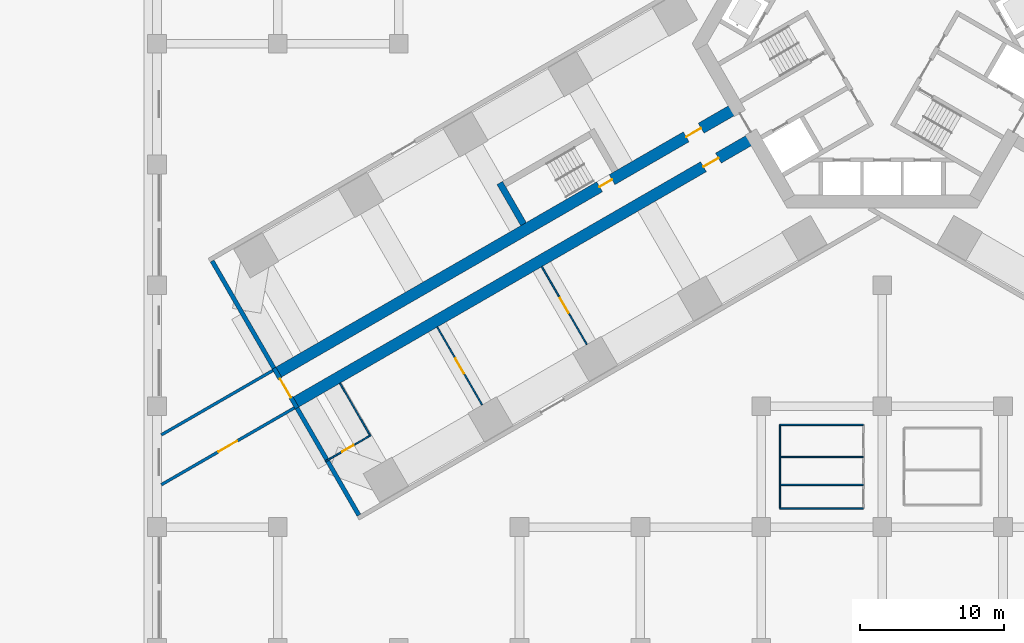
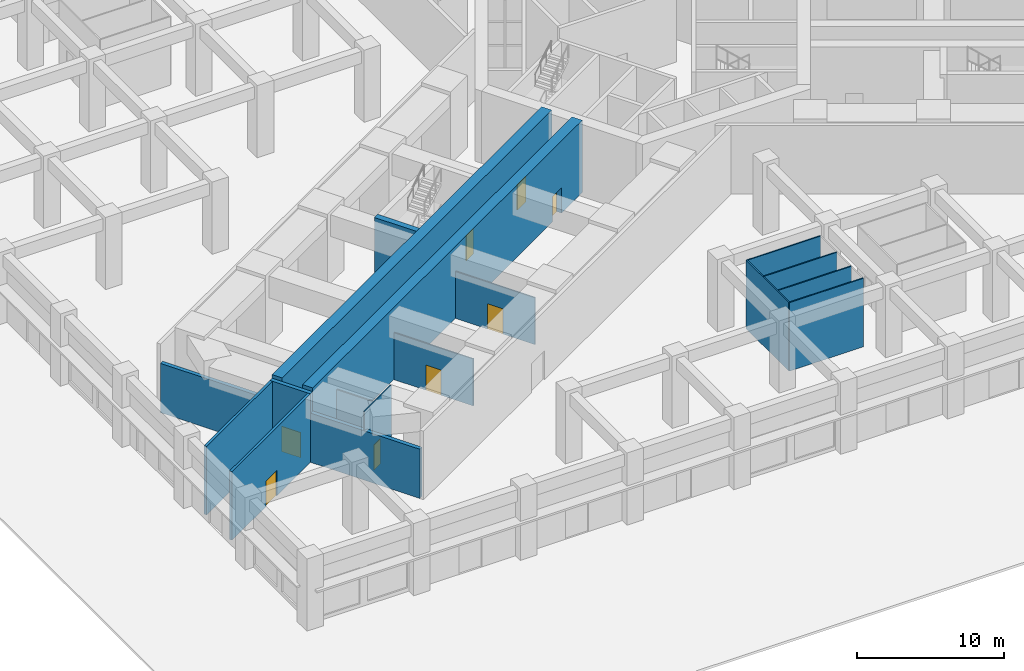
# One storey, part 5 of 33: 17 walls, 8 doors, 8 openings.
"""IFC4 building model written with IfcOpenShell, lengths in metres."""

from ifc_helpers import new_model, si_unit, direction, frame, frame_2d, origin, place, context, subcontext, project, spatial, rectangle, extrude, material, layer, layer_set, type_object, element, fill, save


model = new_model("IFC4")

# Units and contexts
model_context = context("Model", 3, precision=1e-05, world=origin(), true_north=direction((0.0, 1.0)))
body_context = subcontext(model_context, "Body", "Model", "MODEL_VIEW")
ifc_project = project(units=[si_unit("LENGTHUNIT", "METRE"), si_unit("AREAUNIT", "SQUARE_METRE"), si_unit("VOLUMEUNIT", "CUBIC_METRE"), si_unit("PLANEANGLEUNIT", "RADIAN"), si_unit("MASSUNIT", "GRAM", prefix="KILO")], contexts=[model_context])

# Site, building, storey
site_placement = place(None, origin())
site = spatial("IfcSite", under=ifc_project, at=site_placement, CompositionType="ELEMENT")
building_placement = place(site_placement, origin())
building = spatial("IfcBuilding", under=site, at=building_placement, Name="Impinga Residences", CompositionType="ELEMENT")
storey_placement = place(building_placement, origin())
storey = spatial("IfcBuildingStorey", under=building, at=storey_placement, Name="L00", CompositionType="ELEMENT", Elevation=0.0)

# Wall, opening, door
ifc_material_1 = material(Name="Concrete C70/85", Category="concrete")
ifc_layer_1 = layer(ifc_material_1, 0.800048828125)
ifc_layer_set_1 = layer_set([ifc_layer_1], Name="Concrete C70/85")
wall_type_1 = type_object("IfcWallType", Name="BW0 corridor buttress wall, B3 to L04 800", PredefinedType="SHEAR", material=ifc_layer_set_1)
wall_1_placement = place(storey_placement, frame((-8.910400390625, -6.530029296875, 0.0), z_axis=(0.0, 0.0, 1.0), x_axis=(-0.866025284237, -0.500000207062, 0.0)))
wall_1 = element("IfcWall", 1, at=wall_1_placement, inside=storey, type_object=wall_type_1, Name="Corridor wall BW0 WC L00", PredefinedType="SHEAR", context=body_context, shape_type="SweptSolid", body=[
    extrude(rectangle(XDim=36.75, YDim=0.800048828125, at=frame_2d((18.375, 0.0))), origin(), (0.0, 0.0, 1.0), 6.0),
])
opening_1_placement = place(wall_1_placement, frame((2.85009765625, 0.0, 0.0)))
opening_1 = element("IfcOpeningElement", 2, at=opening_1_placement, cuts=wall_1, Name="Opening D3", PredefinedType="OPENING", context=body_context, shape_type="SweptSolid", body=[
    extrude(rectangle(XDim=1.199951171875, YDim=2.10009765625, at=frame_2d((0.60009765625, 1.050048828125))), frame((0.0, 0.409912109375, 0.0), z_axis=(0.0, -1.0, 0.0), x_axis=(1.0, 0.0, 0.0)), (0.0, 0.0, 1.0), 0.820068359375),
])
ifc_material_2 = material(Name="Timber door set", Category="wood")
door_type_1 = type_object("IfcDoorType", Name="D3 room door, leaf and a half 1200x2100", OperationType="DOUBLE_SWING_LEFT", PredefinedType="DOOR", material=ifc_material_2)
door_1_placement = place(opening_1_placement, origin())
door_1 = element("IfcDoor", 3, at=door_1_placement, inside=storey, type_object=door_type_1, Name="Management office door L00-WA1", OperationType="DOUBLE_SWING_LEFT", OverallHeight=2.10009765625, OverallWidth=1.199951171875, PredefinedType="DOOR", context=body_context, shape_type="SweptSolid", body=[
    extrude(rectangle(XDim=1.199951171875, YDim=2.10009765625, at=frame_2d((0.60009765625, 1.050048828125))), frame((0.0, 0.02490234375, 0.0), z_axis=(0.0, -1.0, 0.0), x_axis=(1.0, 0.0, 0.0)), (0.0, 0.0, 1.0), 0.050048828125),
])
fill(opening_1, door_1)

# Wall, openings, doors
wall_2_placement = place(storey_placement, frame((-10.1103515625, -4.451416015625, 0.0), z_axis=(0.0, 0.0, 1.0), x_axis=(-0.866025284237, -0.500000207062, 0.0)))
wall_2 = element("IfcWall", 4, at=wall_2_placement, inside=storey, type_object=wall_type_1, Name="Corridor wall BW0 WD L00", PredefinedType="SHEAR", context=body_context, shape_type="SweptSolid", body=[
    extrude(rectangle(XDim=36.75, YDim=0.800048828125, at=frame_2d((18.375, 0.0))), origin(), (0.0, 0.0, 1.0), 6.0),
])
opening_2_placement = place(wall_2_placement, frame((10.0, 0.0, 0.0)))
opening_2 = element("IfcOpeningElement", 5, at=opening_2_placement, cuts=wall_2, Name="Opening D5", PredefinedType="OPENING", context=body_context, shape_type="SweptSolid", body=[
    extrude(rectangle(XDim=1.0, YDim=2.10009765625, at=frame_2d((0.5, 1.050048828125))), frame((0.0, 0.409912109375, 0.0), z_axis=(0.0, -1.0, 0.0), x_axis=(1.0, 0.0, 0.0)), (0.0, 0.0, 1.0), 0.820068359375),
])
opening_3_placement = place(wall_2_placement, frame((2.85009765625, 0.0, 0.0)))
opening_3 = element("IfcOpeningElement", 6, at=opening_3_placement, cuts=wall_2, Name="Opening D3", PredefinedType="OPENING", context=body_context, shape_type="SweptSolid", body=[
    extrude(rectangle(XDim=1.199951171875, YDim=2.10009765625, at=frame_2d((0.60009765625, 1.050048828125))), frame((0.0, 0.409912109375, 0.0), z_axis=(0.0, -1.0, 0.0), x_axis=(1.0, 0.0, 0.0)), (0.0, 0.0, 1.0), 0.820068359375),
])
door_2_placement = place(opening_3_placement, origin())
door_2 = element("IfcDoor", 7, at=door_2_placement, inside=storey, type_object=door_type_1, Name="Fire command centre door L00-WF1", OperationType="DOUBLE_SWING_LEFT", OverallHeight=2.10009765625, OverallWidth=1.199951171875, PredefinedType="DOOR", context=body_context, shape_type="SweptSolid", body=[
    extrude(rectangle(XDim=1.199951171875, YDim=2.10009765625, at=frame_2d((0.60009765625, 1.050048828125))), frame((0.0, 0.02490234375, 0.0), z_axis=(0.0, -1.0, 0.0), x_axis=(1.0, 0.0, 0.0)), (0.0, 0.0, 1.0), 0.050048828125),
])
fill(opening_3, door_2)
door_type_2 = type_object("IfcDoorType", Name="D5 stair door 1000x2100", OperationType="SINGLE_SWING_LEFT", PredefinedType="DOOR", material=ifc_material_2)
door_3_placement = place(opening_2_placement, origin())
door_3 = element("IfcDoor", 8, at=door_3_placement, inside=storey, type_object=door_type_2, Name="Wing stair door W", OperationType="SINGLE_SWING_LEFT", OverallHeight=2.10009765625, OverallWidth=1.0, PredefinedType="DOOR", context=body_context, shape_type="SweptSolid", body=[
    extrude(rectangle(XDim=1.0, YDim=2.10009765625, at=frame_2d((0.5, 1.050048828125))), frame((0.0, 0.02490234375, 0.0), z_axis=(0.0, -1.0, 0.0), x_axis=(1.0, 0.0, 0.0)), (0.0, 0.0, 1.0), 0.050048828125),
])
fill(opening_2, door_3)

# Wall, opening, door
ifc_material_3 = material(Name="Concrete blockwork", Category="masonry")
ifc_layer_2 = layer(ifc_material_3, 0.10009765625)
ifc_layer_set_2 = layer_set([ifc_layer_2], Name="CP1 core room partition, blockwork 100")
wall_type_2 = type_object("IfcWallType", Name="CP1 core room partition, blockwork 100", PredefinedType="PARTITIONING", material=ifc_layer_set_2)
wall_3_placement = place(storey_placement, frame((-23.649169921875, -15.50146484375, 0.0), z_axis=(0.0, 0.0, 1.0), x_axis=(0.500004234368, -0.866022959057, 0.0)))
wall_3 = element("IfcWall", 9, at=wall_3_placement, inside=storey, type_object=wall_type_2, Name="Core room partition, blockwork L00-WA1:PS1", PredefinedType="PARTITIONING", context=body_context, shape_type="SweptSolid", body=[
    extrude(rectangle(XDim=6.25, YDim=0.10009765625, at=frame_2d((3.125, 0.0))), origin(), (0.0, 0.0, 1.0), 3.89990234375),
])
opening_4_placement = place(wall_3_placement, frame((2.52490234375, 0.0, 0.0)))
opening_4 = element("IfcOpeningElement", 10, at=opening_4_placement, cuts=wall_3, Name="Opening D3", PredefinedType="OPENING", context=body_context, shape_type="SweptSolid", body=[
    extrude(rectangle(XDim=1.199951171875, YDim=2.10009765625, at=frame_2d((0.60009765625, 1.050048828125))), frame((0.0, 0.06005859375, 0.0), z_axis=(0.0, -1.0, 0.0), x_axis=(1.0, 0.0, 0.0)), (0.0, 0.0, 1.0), 0.1201171875),
])
door_4_placement = place(opening_4_placement, origin())
door_4 = element("IfcDoor", 11, at=door_4_placement, inside=storey, type_object=door_type_1, Name="Meeting room door L00-WA1", OperationType="DOUBLE_SWING_LEFT", OverallHeight=2.10009765625, OverallWidth=1.199951171875, PredefinedType="DOOR", context=body_context, shape_type="SweptSolid", body=[
    extrude(rectangle(XDim=1.199951171875, YDim=2.10009765625, at=frame_2d((0.60009765625, 1.050048828125))), frame((0.0, 0.02490234375, 0.0), z_axis=(0.0, -1.0, 0.0), x_axis=(1.0, 0.0, 0.0)), (0.0, 0.0, 1.0), 0.050048828125),
])
fill(opening_4, door_4)

wall_4_placement = place(storey_placement, frame((-30.923828125, -19.701416015625, 0.0), z_axis=(0.0, 0.0, 1.0), x_axis=(0.500004234368, -0.866022959057, 0.0)))
wall_4 = element("IfcWall", 12, at=wall_4_placement, inside=storey, type_object=wall_type_2, Name="Core room partition, blockwork L00-WA1:PS2", PredefinedType="PARTITIONING", context=body_context, shape_type="SweptSolid", body=[
    extrude(rectangle(XDim=6.25, YDim=0.10009765625, at=frame_2d((3.125, 0.0))), origin(), (0.0, 0.0, 1.0), 3.89990234375),
])
opening_5_placement = place(wall_4_placement, frame((2.52490234375, 0.0, 0.0)))
opening_5 = element("IfcOpeningElement", 13, at=opening_5_placement, cuts=wall_4, Name="Opening D3", PredefinedType="OPENING", context=body_context, shape_type="SweptSolid", body=[
    extrude(rectangle(XDim=1.199951171875, YDim=2.10009765625, at=frame_2d((0.60009765625, 1.050048828125))), frame((0.0, 0.06005859375, 0.0), z_axis=(0.0, -1.0, 0.0), x_axis=(1.0, 0.0, 0.0)), (0.0, 0.0, 1.0), 0.1201171875),
])
door_5_placement = place(opening_5_placement, origin())
door_5 = element("IfcDoor", 14, at=door_5_placement, inside=storey, type_object=door_type_1, Name="Staff kitchen door L00-WA1", OperationType="DOUBLE_SWING_LEFT", OverallHeight=2.10009765625, OverallWidth=1.199951171875, PredefinedType="DOOR", context=body_context, shape_type="SweptSolid", body=[
    extrude(rectangle(XDim=1.199951171875, YDim=2.10009765625, at=frame_2d((0.60009765625, 1.050048828125))), frame((0.0, 0.02490234375, 0.0), z_axis=(0.0, -1.0, 0.0), x_axis=(1.0, 0.0, 0.0)), (0.0, 0.0, 1.0), 0.050048828125),
])
fill(opening_5, door_5)

ifc_material_4 = material(Name="Gypsum board on steel studs", Category="steel")
ifc_layer_3 = layer(ifc_material_4, 0.10009765625)
ifc_layer_set_3 = layer_set([ifc_layer_3], Name="Gypsum board on steel studs")
wall_type_3 = type_object("IfcWallType", Name="IP1 partition 100", PredefinedType="PARTITIONING", material=ifc_layer_set_3)
wall_5_placement = place(storey_placement, frame((-35.53564453125, -27.213623046875, 0.0), z_axis=(0.0, 0.0, 1.0), x_axis=(-0.865995104784, -0.500052475737, 0.0)))
wall_5 = element("IfcWall", 15, at=wall_5_placement, inside=storey, type_object=wall_type_3, Name="Partition L00-WA1:WC3A", PredefinedType="PARTITIONING", context=body_context, shape_type="SweptSolid", body=[
    extrude(rectangle(XDim=3.64990234375, YDim=0.10009765625, at=frame_2d((1.824951171875, 0.0))), origin(), (0.0, 0.0, 1.0), 5.699951171875),
])
opening_6_placement = place(wall_5_placement, frame((1.39990234375, 0.0, 0.0)))
opening_6 = element("IfcOpeningElement", 16, at=opening_6_placement, cuts=wall_5, Name="Opening D2", PredefinedType="OPENING", context=body_context, shape_type="SweptSolid", body=[
    extrude(rectangle(XDim=0.89990234375, YDim=2.10009765625, at=frame_2d((0.449951171875, 1.050048828125))), frame((0.0, 0.06005859375, 0.0), z_axis=(0.0, -1.0, 0.0), x_axis=(1.0, 0.0, 0.0)), (0.0, 0.0, 1.0), 0.1201171875),
])
door_type_3 = type_object("IfcDoorType", Name="D2 internal door 900x2100", OperationType="SINGLE_SWING_LEFT", PredefinedType="DOOR", material=ifc_material_2)
door_6_placement = place(opening_6_placement, origin())
door_6 = element("IfcDoor", 17, at=door_6_placement, inside=storey, type_object=door_type_3, Name="Staff WC door L00-WA1", OperationType="SINGLE_SWING_RIGHT", OverallHeight=2.10009765625, OverallWidth=0.89990234375, PredefinedType="DOOR", context=body_context, shape_type="SweptSolid", body=[
    extrude(rectangle(XDim=0.89990234375, YDim=2.10009765625, at=frame_2d((0.449951171875, 1.050048828125))), frame((0.0, 0.02490234375, 0.0), z_axis=(0.0, -1.0, 0.0), x_axis=(1.0, 0.0, 0.0)), (0.0, 0.0, 1.0), 0.050048828125),
])
fill(opening_6, door_6)

# Walls
wall_6_placement = place(storey_placement, frame((-37.678955078125, -23.601318359375, 0.0), z_axis=(0.0, 0.0, 1.0), x_axis=(0.499994284652, -0.866028703517, 0.0)))
element("IfcWall", 18, at=wall_6_placement, inside=storey, type_object=wall_type_3, Name="Partition L00-WA1:WC3B", PredefinedType="PARTITIONING", context=body_context, shape_type="SweptSolid", body=[
    extrude(rectangle(XDim=4.25, YDim=0.10009765625, at=frame_2d((2.125, 0.0))), origin(), (0.0, 0.0, 1.0), 3.89990234375),
])
for number, where, z_axis, x_axis, name in (
    (19, (-7.10009765625, -32.300048828125, 0.0), (0.0, 0.0, 1.0), (1.0, 0.0, 0.0), "Partition L00:REG:S:BLKS"),
    (20, (-1.300048828125, -26.5, 0.0), (0.0, 0.0, 1.0), (-1.0, 0.0, 0.0), "Partition L00:REG:S:BLKN"),
    (21, (-7.10009765625, -26.5, 0.0), (0.0, 0.0, 1.0), (0.0, -1.0, 0.0), "Partition L00:REG:S:BLKW"),
    (22, (-7.10009765625, -30.66162109375, 0.0), (0.0, 0.0, 1.0), (1.0, 0.0, 0.0), "Partition L00:REG:S:BLKP1"),
    (23, (-7.10009765625, -28.728271484375, 0.0), (0.0, 0.0, 1.0), (1.0, 0.0, 0.0), "Partition L00:REG:S:BLKP2"),
):
    element("IfcWall", number, at=place(storey_placement, frame(where, z_axis=z_axis, x_axis=x_axis)), inside=storey, type_object=wall_type_3, Name=name, PredefinedType="PARTITIONING", context=body_context, shape_type="SweptSolid", body=[
        extrude(rectangle(XDim=5.800048828125, YDim=0.10009765625, at=frame_2d((2.89990234375, 0.0))), origin(), (0.0, 0.0, 1.0), 5.699951171875),
    ])

# Wall, opening, door
ifc_layer_4 = layer(ifc_material_3, 0.199951171875)
ifc_layer_set_4 = layer_set([ifc_layer_4], Name="PW2 podium compartment wall 200")
wall_type_4 = type_object("IfcWallType", Name="PW2 podium compartment wall 200", PredefinedType="SOLIDWALL", material=ifc_layer_set_4)
wall_7_placement = place(storey_placement, frame((-40.846435546875, -25.314697265625, 0.0), z_axis=(0.0, 0.0, 1.0), x_axis=(-0.866028443642, -0.499994734776, 0.0)))
wall_7 = element("IfcWall", 24, at=wall_7_placement, inside=storey, type_object=wall_type_4, Name="Podium compartment wall L00:EXP:WA", PredefinedType="SOLIDWALL", context=body_context, shape_type="SweptSolid", body=[
    extrude(rectangle(XDim=10.68505859375, YDim=0.199951171875, at=frame_2d((5.342529296875, 0.0))), origin(), (0.0, 0.0, 1.0), 5.699951171875),
])
opening_7_placement = place(wall_7_placement, frame((4.592529296875, 0.0, 0.0)))
opening_7 = element("IfcOpeningElement", 25, at=opening_7_placement, cuts=wall_7, Name="Opening D4", PredefinedType="OPENING", context=body_context, shape_type="SweptSolid", body=[
    extrude(rectangle(XDim=1.5, YDim=2.10009765625, at=frame_2d((0.75, 1.050048828125))), frame((0.0, 0.10986328125, 0.0), z_axis=(0.0, -1.0, 0.0), x_axis=(1.0, 0.0, 0.0)), (0.0, 0.0, 1.0), 0.219970703125),
])
door_type_4 = type_object("IfcDoorType", Name="D4 lobby door pair 1500x2100", OperationType="DOUBLE_DOOR_DOUBLE_SWING", PredefinedType="DOOR", material=ifc_material_2)
door_7_placement = place(opening_7_placement, origin())
door_7 = element("IfcDoor", 26, at=door_7_placement, inside=storey, type_object=door_type_4, Name="Entrance hall fire lobby door W", OperationType="DOUBLE_DOOR_DOUBLE_SWING", OverallHeight=2.10009765625, OverallWidth=1.5, PredefinedType="DOOR", context=body_context, shape_type="SweptSolid", body=[
    extrude(rectangle(XDim=1.5, YDim=2.10009765625, at=frame_2d((0.75, 1.050048828125))), frame((0.0, 0.02490234375, 0.0), z_axis=(0.0, -1.0, 0.0), x_axis=(1.0, 0.0, 0.0)), (0.0, 0.0, 1.0), 0.050048828125),
])
fill(opening_7, door_7)

# Wall
wall_8_placement = place(storey_placement, frame((-42.346435546875, -22.716796875, 0.0), z_axis=(0.0, 0.0, 1.0), x_axis=(-0.866038004836, -0.499978173704, 0.0)))
element("IfcWall", 27, at=wall_8_placement, inside=storey, type_object=wall_type_4, Name="Podium compartment wall L00:EXP:WF", PredefinedType="SOLIDWALL", context=body_context, shape_type="SweptSolid", body=[
    extrude(rectangle(XDim=8.953125, YDim=0.199951171875, at=frame_2d((4.4765625, 0.0))), origin(), (0.0, 0.0, 1.0), 5.699951171875),
])

# Wall, opening, door
ifc_layer_5 = layer(ifc_material_3, 0.300048828125)
ifc_layer_set_5 = layer_set([ifc_layer_5], Name="PW3 podium wall on the wing face 300")
wall_type_5 = type_object("IfcWallType", Name="PW3 podium wall on the wing face 300", PredefinedType="SOLIDWALL", material=ifc_layer_set_5)
wall_9_placement = place(storey_placement, frame((-42.2666015625, -22.55517578125, 0.0), z_axis=(0.0, 0.0, 1.0), x_axis=(0.499971222258, -0.866042017984, 0.0)))
wall_9 = element("IfcWall", 28, at=wall_9_placement, inside=storey, type_object=wall_type_5, Name="Podium wall on the wing face L00:W:EXPC", PredefinedType="SOLIDWALL", context=body_context, shape_type="SweptSolid", body=[
    extrude(rectangle(XDim=3.199951171875, YDim=0.300048828125, at=frame_2d((1.60009765625, 0.0))), origin(), (0.0, 0.0, 1.0), 5.699951171875),
])
opening_8_placement = place(wall_9_placement, frame((0.85009765625, 0.0, 0.0)))
opening_8 = element("IfcOpeningElement", 29, at=opening_8_placement, cuts=wall_9, Name="Opening D4", PredefinedType="OPENING", context=body_context, shape_type="SweptSolid", body=[
    extrude(rectangle(XDim=1.5, YDim=2.10009765625, at=frame_2d((0.75, 1.050048828125))), frame((0.0, 0.159912109375, 0.0), z_axis=(0.0, -1.0, 0.0), x_axis=(1.0, 0.0, 0.0)), (0.0, 0.0, 1.0), 0.320068359375),
])
door_8_placement = place(opening_8_placement, origin())
door_8 = element("IfcDoor", 30, at=door_8_placement, inside=storey, type_object=door_type_4, Name="Exit passage door W", OperationType="DOUBLE_DOOR_DOUBLE_SWING", OverallHeight=2.10009765625, OverallWidth=1.5, PredefinedType="DOOR", context=body_context, shape_type="SweptSolid", body=[
    extrude(rectangle(XDim=1.5, YDim=2.10009765625, at=frame_2d((0.75, 1.050048828125))), frame((0.0, 0.02490234375, 0.0), z_axis=(0.0, -1.0, 0.0), x_axis=(1.0, 0.0, 0.0)), (0.0, 0.0, 1.0), 0.050048828125),
])
fill(opening_8, door_8)

# Walls
for number, where, z_axis, x_axis, name in (
    (31, (-40.666748046875, -25.326416015625, 0.0), (0.0, 0.0, 1.0), (0.500007509209, -0.866021068297, 0.0), "Podium wall on the wing face L00:END:WA"),
    (32, (-42.2666015625, -22.55517578125, 0.0), (0.0, 0.0, 1.0), (-0.500007509209, 0.866021068297, 0.0), "Podium wall on the wing face L00:END:WF"),
):
    element("IfcWall", number, at=place(storey_placement, frame(where, z_axis=z_axis, x_axis=x_axis)), inside=storey, type_object=wall_type_5, Name=name, PredefinedType="SOLIDWALL", context=body_context, shape_type="SweptSolid", body=[
        extrude(rectangle(XDim=8.599853515625, YDim=0.300048828125, at=frame_2d((4.2998046875, 0.0))), origin(), (0.0, 0.0, 1.0), 4.10009765625),
    ])
ifc_material_5 = material(Name="Concrete C60/75", Category="concrete")
ifc_layer_6 = layer(ifc_material_5, 0.449951171875)
ifc_layer_set_6 = layer_set([ifc_layer_6], Name="Concrete C60/75")
wall_type_6 = type_object("IfcWallType", Name="SE2 wing stair enclosure wall, ground and podium storeys 450", PredefinedType="SOLIDWALL", material=ifc_layer_set_6)
wall_10_placement = place(storey_placement, frame((-24.924560546875, -12.542724609375, 0.0), z_axis=(0.0, 0.0, 1.0), x_axis=(-0.499974350878, 0.866040211805, 0.0)))
element("IfcWall", 33, at=wall_10_placement, inside=storey, type_object=wall_type_6, Name="Stair enclosure wall SE2 W END1 L00", PredefinedType="SOLIDWALL", context=body_context, shape_type="SweptSolid", body=[
    extrude(rectangle(XDim=3.300048828125, YDim=0.449951171875, at=frame_2d((1.64990234375, 0.0))), origin(), (0.0, 0.0, 1.0), 6.0),
])

save(model, "model.ifc")
